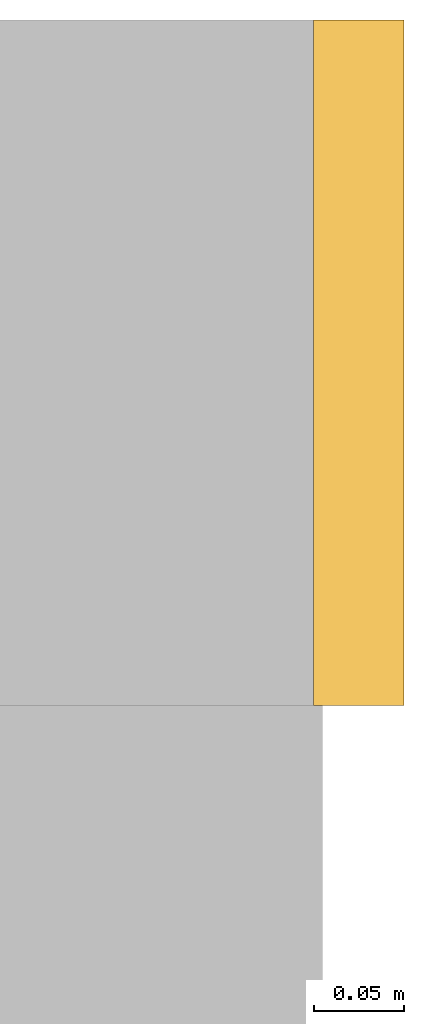
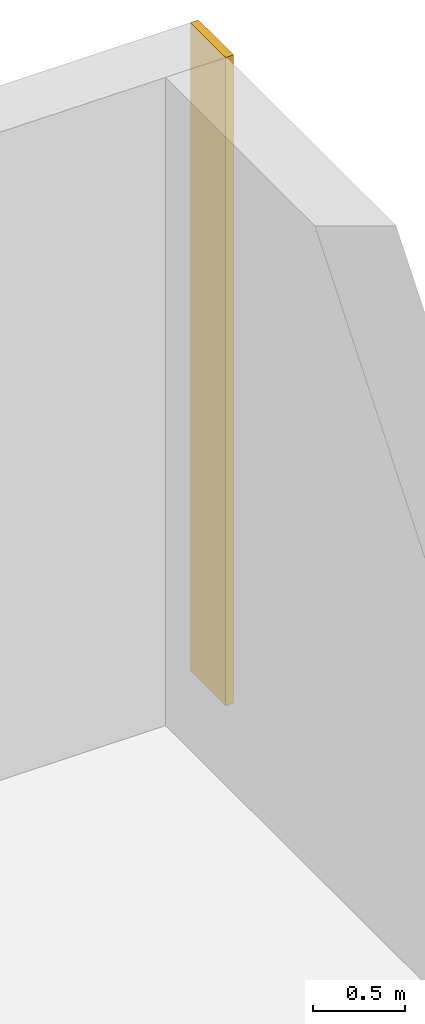
# One storey, part 19 of 19: 1 covering.
"""IFC4 building model written with IfcOpenShell, lengths in metres."""

from ifc_helpers import new_model, si_unit, direction, frame, frame_2d, origin, place, context, subcontext, project, spatial, rectangle, extrude, material, layer, layer_set, type_object, element, save


model = new_model("IFC4")

# Units and contexts
model_context = context("Model", 3, precision=1e-05, world=origin(), true_north=direction((0.0, 1.0)))
body_context = subcontext(model_context, "Body", "Model", "MODEL_VIEW")
ifc_project = project(units=[si_unit("LENGTHUNIT", "METRE"), si_unit("AREAUNIT", "SQUARE_METRE"), si_unit("VOLUMEUNIT", "CUBIC_METRE"), si_unit("PLANEANGLEUNIT", "RADIAN"), si_unit("MASSUNIT", "GRAM", prefix="KILO")], contexts=[model_context])

# Site, building, storey
site_placement = place(None, origin())
site = spatial("IfcSite", under=ifc_project, at=site_placement, CompositionType="ELEMENT")
building_placement = place(site_placement, origin())
building = spatial("IfcBuilding", under=site, at=building_placement, Name="Cairnveth Concourse Tower", CompositionType="ELEMENT")
storey_placement = place(building_placement, frame((0.0, 0.0, 19.0)))
storey = spatial("IfcBuildingStorey", under=building, at=storey_placement, Name="L04", CompositionType="ELEMENT", Elevation=19.0)

# Covering
ifc_material = material(Name="Dressed Melbourne Bluestone Cladding", Category="masonry")
ifc_layer = layer(ifc_material, 0.050048828125)
ifc_layer_set = layer_set([ifc_layer], Name="Dressed Melbourne Bluestone Cladding")
covering_type = type_object("IfcCoveringType", Name="DRESSED BLUESTONE PLINTH CLADDING 50", PredefinedType="CLADDING", material=ifc_layer_set)
covering_placement = place(storey_placement, frame((85.52001953125, 65.6201171875, 0.0), z_axis=(0.0, 0.0, 1.0), x_axis=(0.0, 1.0, 0.0)))
element("IfcCovering", 1, at=covering_placement, inside=storey, type_object=covering_type, Name="Melbourne Bluestone Corner Quoin L04-20", PredefinedType="CLADDING", context=body_context, shape_type="SweptSolid", body=[
    extrude(rectangle(XDim=0.3798828125, YDim=0.050048828125, at=frame_2d((0.18994140625, 0.0))), origin(), (0.0, 0.0, 1.0), 4.280029296875),
])

save(model, "model.ifc")
